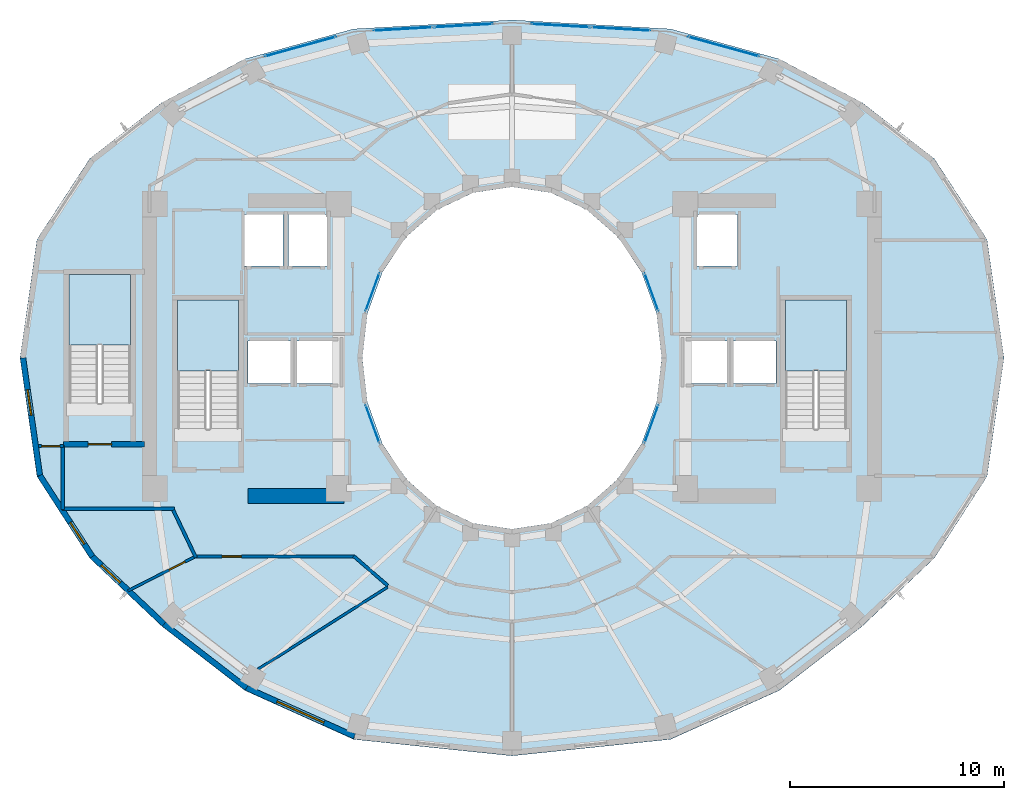
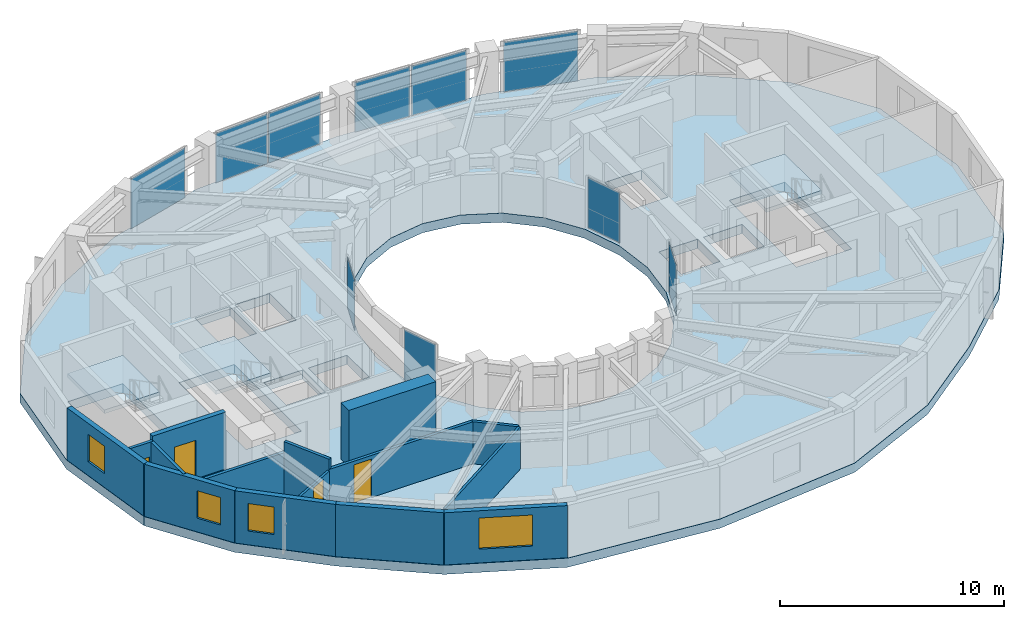
# One storey, part 13 of 20: 15 walls, 10 plates, 4 doors, 4 slabs, 4 windows, 8 openings, 11 elements without a shape of their own.
"""IFC4 building model written with IfcOpenShell, lengths in metres."""

from ifc_helpers import new_model, si_unit, direction, frame, frame_2d, origin, origin_2d, place, context, subcontext, project, spatial, polyline, rectangle, outline, extrude, material, layer, layer_set, type_object, element, fill, aggregate, save


model = new_model("IFC4")

# Units and contexts
model_context = context("Model", 3, precision=1e-05, world=origin(), true_north=direction((0.0, 1.0)))
body_context = subcontext(model_context, "Body", "Model", "MODEL_VIEW")
ifc_project = project(units=[si_unit("LENGTHUNIT", "METRE"), si_unit("AREAUNIT", "SQUARE_METRE"), si_unit("VOLUMEUNIT", "CUBIC_METRE"), si_unit("PLANEANGLEUNIT", "RADIAN"), si_unit("MASSUNIT", "GRAM", prefix="KILO")], contexts=[model_context])

# Site, building, storey
site_placement = place(None, origin())
site = spatial("IfcSite", under=ifc_project, at=site_placement, CompositionType="ELEMENT")
building_placement = place(site_placement, origin())
building = spatial("IfcBuilding", under=site, at=building_placement, Name="Solvane Sanctuary Tower", CompositionType="ELEMENT")
storey_placement = place(building_placement, frame((0.0, 0.0, 137.39990234375)))
storey = spatial("IfcBuildingStorey", under=building, at=storey_placement, Name="L41", CompositionType="ELEMENT", Elevation=137.39990234375)

# Curtain wall, plate
ifc_material_1 = material(Name="Anodised Aluminium 6063-T6", Category="aluminium")
ifc_layer_1 = layer(ifc_material_1, 0.18994140625, Name="Anodised Aluminium 6063-T6")
ifc_layer_set_1 = layer_set([ifc_layer_1], Name="Anodised Aluminium 6063-T6")
curtain_wall_type_1 = type_object("IfcCurtainWallType", Name="Curtain Wall CW-OPER", PredefinedType="NOTDEFINED", material=ifc_layer_set_1)
curtain_wall_1_placement = place(storey_placement, origin())
curtain_wall_1 = element("IfcCurtainWall", 1, at=curtain_wall_1_placement, inside=storey, type_object=curtain_wall_type_1, Name="L41 CW-OPER Facade Run 04", PredefinedType="NOTDEFINED")
ifc_material_2 = material(Name="Dark Ceramic-Fritted Low-E Glass", Category="glass")
ifc_layer_2 = layer(ifc_material_2, 0.0419921875, Name="Dark Ceramic-Fritted Low-E Glass")
ifc_layer_set_2 = layer_set([ifc_layer_2], Name="Dark Ceramic-Fritted Low-E Glass")
plate_type_1 = type_object("IfcPlateType", Name="Plate PN-OPER-VENT", PredefinedType="CURTAIN_PANEL", material=ifc_layer_set_2)
plate_1_placement = place(storey_placement, frame((41.88916015625, 37.56005859375, 0.065185546875), z_axis=(0.0, 0.0, 1.0), x_axis=(-0.963967053183, 0.266021653965, 0.0)))
plate_1 = element("IfcPlate", 2, at=plate_1_placement, type_object=plate_type_1, Name="CW-OPER panel 1.1", PredefinedType="CURTAIN_PANEL", context=body_context, shape_type="SweptSolid", body=[
    extrude(rectangle(XDim=3.44677734375, YDim=0.0419921875, at=origin_2d()), origin(), (0.0, 0.0, 1.0), 2.7099609375),
])
aggregate(curtain_wall_1, [plate_1])

# Curtain wall, plates
curtain_wall_2_placement = place(storey_placement, origin())
curtain_wall_2 = element("IfcCurtainWall", 3, at=curtain_wall_2_placement, inside=storey, type_object=curtain_wall_type_1, Name="L41 CW-OPER Facade Run 05", PredefinedType="NOTDEFINED")
plate_2_placement = place(storey_placement, frame((37.095947265625, 38.384521484375, 0.065185546875), z_axis=(0.0, 0.0, 1.0), x_axis=(-0.998417690973, 0.05623268046, 0.0)))
plate_2 = element("IfcPlate", 4, at=plate_2_placement, type_object=plate_type_1, Name="CW-OPER panel 1.1", PredefinedType="CURTAIN_PANEL", context=body_context, shape_type="SweptSolid", body=[
    extrude(rectangle(XDim=2.755859375, YDim=0.0419921875, at=origin_2d()), origin(), (0.0, 0.0, 1.0), 2.7099609375),
])
plate_3_placement = place(storey_placement, frame((34.269287109375, 38.543701171875, 0.065185546875), z_axis=(0.0, 0.0, 1.0), x_axis=(-0.998417690973, 0.05623268046, 0.0)))
plate_3 = element("IfcPlate", 5, at=plate_3_placement, type_object=plate_type_1, Name="CW-OPER panel 2.1", PredefinedType="CURTAIN_PANEL", context=body_context, shape_type="SweptSolid", body=[
    extrude(rectangle(XDim=2.755859375, YDim=0.0419921875, at=origin_2d()), origin(), (0.0, 0.0, 1.0), 2.7099609375),
])
aggregate(curtain_wall_2, [plate_2, plate_3])

curtain_wall_3_placement = place(storey_placement, origin())
curtain_wall_3 = element("IfcCurtainWall", 6, at=curtain_wall_3_placement, inside=storey, type_object=curtain_wall_type_1, Name="L41 CW-OPER Facade Run 06", PredefinedType="NOTDEFINED")
plate_4_placement = place(storey_placement, frame((29.730712890625, 38.543701171875, 0.065185546875), z_axis=(0.0, 0.0, 1.0), x_axis=(-0.998417690973, -0.05623268046, 0.0)))
plate_4 = element("IfcPlate", 7, at=plate_4_placement, type_object=plate_type_1, Name="CW-OPER panel 1.1", PredefinedType="CURTAIN_PANEL", context=body_context, shape_type="SweptSolid", body=[
    extrude(rectangle(XDim=2.755859375, YDim=0.0419921875, at=origin_2d()), origin(), (0.0, 0.0, 1.0), 2.7099609375),
])
plate_5_placement = place(storey_placement, frame((26.904052734375, 38.384521484375, 0.065185546875), z_axis=(0.0, 0.0, 1.0), x_axis=(-0.998417690973, -0.05623268046, 0.0)))
plate_5 = element("IfcPlate", 8, at=plate_5_placement, type_object=plate_type_1, Name="CW-OPER panel 2.1", PredefinedType="CURTAIN_PANEL", context=body_context, shape_type="SweptSolid", body=[
    extrude(rectangle(XDim=2.755859375, YDim=0.0419921875, at=origin_2d()), origin(), (0.0, 0.0, 1.0), 2.7099609375),
])
aggregate(curtain_wall_3, [plate_4, plate_5])

# Curtain wall, plate
curtain_wall_4_placement = place(storey_placement, origin())
curtain_wall_4 = element("IfcCurtainWall", 9, at=curtain_wall_4_placement, inside=storey, type_object=curtain_wall_type_1, Name="L41 CW-OPER Facade Run 07", PredefinedType="NOTDEFINED")
plate_6_placement = place(storey_placement, frame((22.11083984375, 37.56005859375, 0.065185546875), z_axis=(0.0, 0.0, 1.0), x_axis=(-0.963967053183, -0.266021653965, 0.0)))
plate_6 = element("IfcPlate", 10, at=plate_6_placement, type_object=plate_type_1, Name="CW-OPER panel 1.1", PredefinedType="CURTAIN_PANEL", context=body_context, shape_type="SweptSolid", body=[
    extrude(rectangle(XDim=3.44677734375, YDim=0.0419921875, at=origin_2d()), origin(), (0.0, 0.0, 1.0), 2.7099609375),
])
aggregate(curtain_wall_4, [plate_6])

ifc_layer_3 = layer(ifc_material_1, 0.199951171875, Name="Anodised Aluminium 6063-T6")
ifc_layer_set_3 = layer_set([ifc_layer_3], Name="Anodised Aluminium 6063-T6")
curtain_wall_type_2 = type_object("IfcCurtainWallType", Name="Curtain Wall CW-WELL", PredefinedType="NOTDEFINED", material=ifc_layer_set_3)
curtain_wall_5_placement = place(storey_placement, origin())
curtain_wall_5 = element("IfcCurtainWall", 11, at=curtain_wall_5_placement, inside=storey, type_object=curtain_wall_type_2, Name="L41 Light-Well Glazed Curtain Wall 01", PredefinedType="NOTDEFINED")
ifc_material_3 = material(Name="Clear Laminated Light-Well Glass", Category="glass")
ifc_layer_4 = layer(ifc_material_3, 0.02392578125, Name="Clear Laminated Light-Well Glass")
ifc_layer_set_4 = layer_set([ifc_layer_4], Name="Clear Laminated Light-Well Glass")
plate_type_2 = type_object("IfcPlateType", Name="Plate PN-WELL-GLZ", PredefinedType="CURTAIN_PANEL", material=ifc_layer_set_4)
plate_7_placement = place(storey_placement, frame((38.521728515625, 26.080810546875, 0.065185546875), z_axis=(0.0, 0.0, 1.0), x_axis=(-0.341358483781, 0.939933181429, 0.0)))
plate_7 = element("IfcPlate", 12, at=plate_7_placement, type_object=plate_type_2, Name="CW-WELL panel 1.1", PredefinedType="CURTAIN_PANEL", context=body_context, shape_type="SweptSolid", body=[
    extrude(rectangle(XDim=1.853515625, YDim=0.02392578125, at=origin_2d()), origin(), (0.0, 0.0, 1.0), 2.75),
])
aggregate(curtain_wall_5, [plate_7])

curtain_wall_6_placement = place(storey_placement, origin())
curtain_wall_6 = element("IfcCurtainWall", 13, at=curtain_wall_6_placement, inside=storey, type_object=curtain_wall_type_2, Name="L41 Light-Well Glazed Curtain Wall 10", PredefinedType="NOTDEFINED")
plate_8_placement = place(storey_placement, frame((25.478271484375, 26.080810546875, 0.065185546875), z_axis=(0.0, 0.0, 1.0), x_axis=(-0.341358483781, -0.939933181429, 0.0)))
plate_8 = element("IfcPlate", 14, at=plate_8_placement, type_object=plate_type_2, Name="CW-WELL panel 1.1", PredefinedType="CURTAIN_PANEL", context=body_context, shape_type="SweptSolid", body=[
    extrude(rectangle(XDim=1.853515625, YDim=0.02392578125, at=origin_2d()), origin(), (0.0, 0.0, 1.0), 2.75),
])
aggregate(curtain_wall_6, [plate_8])

curtain_wall_7_placement = place(storey_placement, origin())
curtain_wall_7 = element("IfcCurtainWall", 15, at=curtain_wall_7_placement, inside=storey, type_object=curtain_wall_type_2, Name="L41 Light-Well Glazed Curtain Wall 13", PredefinedType="NOTDEFINED")
plate_9_placement = place(storey_placement, frame((25.478271484375, 19.919189453125, 0.065185546875), z_axis=(0.0, 0.0, 1.0), x_axis=(0.341358483781, -0.939933181429, 0.0)))
plate_9 = element("IfcPlate", 16, at=plate_9_placement, type_object=plate_type_2, Name="CW-WELL panel 1.1", PredefinedType="CURTAIN_PANEL", context=body_context, shape_type="SweptSolid", body=[
    extrude(rectangle(XDim=1.853515625, YDim=0.02392578125, at=origin_2d()), origin(), (0.0, 0.0, 1.0), 2.75),
])
aggregate(curtain_wall_7, [plate_9])

curtain_wall_8_placement = place(storey_placement, origin())
curtain_wall_8 = element("IfcCurtainWall", 17, at=curtain_wall_8_placement, inside=storey, type_object=curtain_wall_type_2, Name="L41 Light-Well Glazed Curtain Wall 22", PredefinedType="NOTDEFINED")
plate_10_placement = place(storey_placement, frame((38.521728515625, 19.919189453125, 0.065185546875), z_axis=(0.0, 0.0, 1.0), x_axis=(0.341358483781, 0.939933181429, 0.0)))
plate_10 = element("IfcPlate", 18, at=plate_10_placement, type_object=plate_type_2, Name="CW-WELL panel 1.1", PredefinedType="CURTAIN_PANEL", context=body_context, shape_type="SweptSolid", body=[
    extrude(rectangle(XDim=1.853515625, YDim=0.02392578125, at=origin_2d()), origin(), (0.0, 0.0, 1.0), 2.75),
])
aggregate(curtain_wall_8, [plate_10])

# Stair, slab
ifc_material_4 = material(Name="Concrete C45/55", Category="concrete")
stair_type = type_object("IfcStairType", Name="Stair ST-TOW", PredefinedType="HALF_TURN_STAIR", material=ifc_material_4)
stair_1_placement = place(storey_placement, origin())
stair_1 = element("IfcStair", 19, at=stair_1_placement, inside=storey, type_object=stair_type, Name="L41 Exit Stair ST-1 West Core", PredefinedType="HALF_TURN_STAIR")
ifc_layer_5 = layer(ifc_material_4, 0.199951171875, Name="Concrete C45/55")
ifc_layer_set_5 = layer_set([ifc_layer_5], Name="Concrete C45/55")
slab_type_1 = type_object("IfcSlabType", Name="Slab SL-LAND-180", PredefinedType="LANDING", material=ifc_layer_set_5)
slab_1_placement = place(storey_placement, frame((0.0, 0.0, 1.35009765625)))
slab_1 = element("IfcSlab", 20, at=slab_1_placement, type_object=slab_type_1, Name="ST-1 landing 1", PredefinedType="LANDING", context=body_context, shape_type="SweptSolid", body=[
    extrude(outline(polyline([(19.219970703125, 22.39990234375), (19.219970703125, 25.699951171875), (16.360107421875, 25.699951171875), (16.360107421875, 22.39990234375), (19.219970703125, 22.39990234375)])), origin(), (0.0, 0.0, 1.0), 0.199951171875),
])
aggregate(stair_1, [slab_1])

stair_2_placement = place(storey_placement, origin())
stair_2 = element("IfcStair", 21, at=stair_2_placement, inside=storey, type_object=stair_type, Name="L41 Exit Stair ST-2 East Core", PredefinedType="HALF_TURN_STAIR")
slab_2_placement = place(storey_placement, frame((0.0, 0.0, 1.35009765625)))
slab_2 = element("IfcSlab", 22, at=slab_2_placement, type_object=slab_type_1, Name="ST-2 landing 1", PredefinedType="LANDING", context=body_context, shape_type="SweptSolid", body=[
    extrude(outline(polyline([(47.639892578125, 22.39990234375), (47.639892578125, 25.699951171875), (44.780029296875, 25.699951171875), (44.780029296875, 22.39990234375), (47.639892578125, 22.39990234375)])), origin(), (0.0, 0.0, 1.0), 0.199951171875),
])
aggregate(stair_2, [slab_2])

stair_3_placement = place(storey_placement, origin())
stair_3 = element("IfcStair", 23, at=stair_3_placement, inside=storey, type_object=stair_type, Name="L41 Exit Stair ST-3 Pilgrim Tower Stair", PredefinedType="HALF_TURN_STAIR")
slab_3_placement = place(storey_placement, frame((0.0, 0.0, 1.35009765625)))
slab_3 = element("IfcSlab", 24, at=slab_3_placement, type_object=slab_type_1, Name="ST-3 landing 1", PredefinedType="LANDING", context=body_context, shape_type="SweptSolid", body=[
    extrude(outline(polyline([(14.159912109375, 23.60009765625), (14.159912109375, 26.89990234375), (11.300048828125, 26.89990234375), (11.300048828125, 23.60009765625), (14.159912109375, 23.60009765625)])), origin(), (0.0, 0.0, 1.0), 0.199951171875),
])
aggregate(stair_3, [slab_3])

# Slab
ifc_material_5 = material(Name="Concrete C60/75", Category="concrete")
ifc_layer_6 = layer(ifc_material_5, 0.5, Name="Concrete C60/75")
ifc_layer_set_6 = layer_set([ifc_layer_6], Name="Concrete C60/75")
slab_type_2 = type_object("IfcSlabType", Name="Slab SL-XFER-500", PredefinedType="FLOOR", material=ifc_layer_set_6)
slab_4_placement = place(storey_placement, frame((0.0, 0.0, -0.5)))
element("IfcSlab", 25, at=slab_4_placement, inside=storey, type_object=slab_type_2, Name="L41 Primary Structural Slab", PredefinedType="FLOOR", context=body_context, shape_type="SweptSolid", body=[
    extrude(outline(polyline([(55.0, 23.0), (54.205322265625, 28.54150390625), (51.7392578125, 32.3193359375), (48.368896484375, 34.938720703125), (44.489013671875, 36.977294921875), (39.410400390625, 38.3818359375), (32.0, 38.800048828125), (24.589599609375, 38.3818359375), (19.510986328125, 36.977294921875), (15.631103515625, 34.938720703125), (12.2607421875, 32.3193359375), (9.794677734375, 28.54150390625), (9.0, 23.0), (9.794677734375, 17.45849609375), (12.2607421875, 13.639892578125), (15.631103515625, 10.45654296875), (19.510986328125, 7.4541015625), (24.589599609375, 5.17041015625), (32.0, 4.39990234375), (39.410400390625, 5.17041015625), (44.489013671875, 7.4541015625), (48.368896484375, 10.45654296875), (51.7392578125, 13.639892578125), (54.205322265625, 17.45849609375), (55.0, 23.0)]), holes=[polyline([(38.761474609375, 20.929443359375), (38.062255859375, 19.0), (36.94970703125, 17.343017578125), (35.5, 16.07177734375), (33.811767578125, 15.272705078125), (32.0, 15.0), (30.188232421875, 15.272705078125), (28.5, 16.07177734375), (27.05029296875, 17.343017578125), (25.937744140625, 19.0), (25.238525390625, 20.929443359375), (25.0, 23.0), (25.238525390625, 25.070556640625), (25.937744140625, 27.0), (27.05029296875, 28.656982421875), (28.5, 29.92822265625), (30.188232421875, 30.727294921875), (32.0, 31.0), (33.811767578125, 30.727294921875), (35.5, 29.92822265625), (36.94970703125, 28.656982421875), (38.062255859375, 27.0), (38.761474609375, 25.070556640625), (39.0, 23.0), (38.761474609375, 20.929443359375)]), polyline([(16.360107421875, 19.699951171875), (16.360107421875, 25.699951171875), (19.219970703125, 25.699951171875), (19.219970703125, 19.699951171875), (16.360107421875, 19.699951171875)]), polyline([(44.780029296875, 19.699951171875), (44.780029296875, 25.699951171875), (47.639892578125, 25.699951171875), (47.639892578125, 19.699951171875), (44.780029296875, 19.699951171875)]), polyline([(11.300048828125, 20.89990234375), (11.300048828125, 26.89990234375), (14.159912109375, 26.89990234375), (14.159912109375, 20.89990234375), (11.300048828125, 20.89990234375)]), polyline([(19.64990234375, 23.800048828125), (21.64990234375, 23.800048828125), (21.64990234375, 21.800048828125), (19.64990234375, 21.800048828125), (19.64990234375, 23.800048828125)]), polyline([(42.35009765625, 23.800048828125), (44.35009765625, 23.800048828125), (44.35009765625, 21.800048828125), (42.35009765625, 21.800048828125), (42.35009765625, 23.800048828125)]), polyline([(21.949951171875, 23.800048828125), (23.949951171875, 23.800048828125), (23.949951171875, 21.800048828125), (21.949951171875, 21.800048828125), (21.949951171875, 23.800048828125)]), polyline([(40.050048828125, 23.800048828125), (42.050048828125, 23.800048828125), (42.050048828125, 21.800048828125), (40.050048828125, 21.800048828125), (40.050048828125, 23.800048828125)]), polyline([(19.5, 29.699951171875), (21.300048828125, 29.699951171875), (21.300048828125, 27.300048828125), (19.5, 27.300048828125), (19.5, 29.699951171875)]), polyline([(21.550048828125, 29.699951171875), (23.35009765625, 29.699951171875), (23.35009765625, 27.300048828125), (21.550048828125, 27.300048828125), (21.550048828125, 29.699951171875)]), polyline([(40.64990234375, 29.699951171875), (42.550048828125, 29.699951171875), (42.550048828125, 27.300048828125), (40.64990234375, 27.300048828125), (40.64990234375, 29.699951171875)])]), origin(), (0.0, 0.0, 1.0), 0.5),
])

# Wall
ifc_layer_7 = layer(ifc_material_5, 0.699951171875, Name="Concrete C60/75")
ifc_layer_set_7 = layer_set([ifc_layer_7], Name="Concrete C60/75")
wall_type_1 = type_object("IfcWallType", Name="Wall W-CORE-700", PredefinedType="SHEAR", material=ifc_layer_set_7)
wall_1_placement = place(storey_placement, frame((19.64990234375, 16.550048828125, 0.0), z_axis=(0.0, 0.0, 1.0), x_axis=(1.0, 0.0, 0.0)))
element("IfcWall", 26, at=wall_1_placement, inside=storey, type_object=wall_type_1, Name="L41 Core Shear Wall WC-S", PredefinedType="SHEAR", context=body_context, shape_type="SweptSolid", body=[
    extrude(rectangle(XDim=4.5, YDim=0.699951171875, at=frame_2d((2.25, 0.0))), origin(), (0.0, 0.0, 1.0), 3.10009765625),
])

# Wall, opening, door
ifc_material_6 = material(Name="Acoustic Gypsum Partition Board")
ifc_layer_8 = layer(ifc_material_6, 0.14990234375, Name="Acoustic Gypsum Partition Board")
ifc_layer_set_8 = layer_set([ifc_layer_8], Name="Acoustic Gypsum Partition Board")
wall_type_2 = type_object("IfcWallType", Name="Wall W-CORR-150", PredefinedType="PARTITIONING", material=ifc_layer_set_8)
wall_2_placement = place(storey_placement, frame((9.869873046875, 18.8798828125, 0.0), z_axis=(0.0, 0.0, 1.0), x_axis=(1.0, 0.0, 0.0)))
wall_2 = element("IfcWall", 27, at=wall_2_placement, inside=storey, type_object=wall_type_2, Name="L41 SW Corner Closer 1", PredefinedType="PARTITIONING", context=body_context, shape_type="SweptSolid", body=[
    extrude(rectangle(XDim=1.170166015625, YDim=0.14990234375, at=frame_2d((0.5849609375, 0.0))), origin(), (0.0, 0.0, 1.0), 2.85498046875),
])
opening_1_placement = place(wall_2_placement, frame((0.139892578125, 0.0, 0.0)))
opening_1 = element("IfcOpeningElement", 28, at=opening_1_placement, cuts=wall_2, Name="Opening D-L41-13", PredefinedType="OPENING", context=body_context, shape_type="SweptSolid", body=[
    extrude(rectangle(XDim=0.85009765625, YDim=2.050048828125, at=frame_2d((0.425048828125, 1.02490234375))), frame((0.0, 0.0849609375, 0.0), z_axis=(0.0, -1.0, 0.0), x_axis=(1.0, 0.0, 0.0)), (0.0, 0.0, 1.0), 0.169921875),
])
ifc_material_7 = material(Name="Architectural Stainless Steel 316", Category="steel")
door_type_1 = type_object("IfcDoorType", Name="Door D-RISER", OperationType="NOTDEFINED", PredefinedType="DOOR", material=ifc_material_7)
door_1_placement = place(opening_1_placement, origin())
door_1 = element("IfcDoor", 29, at=door_1_placement, inside=storey, type_object=door_type_1, Name="L41 West Lookout Study Door", OperationType="SINGLE_SWING_LEFT", OverallHeight=2.050048828125, OverallWidth=0.85009765625, PredefinedType="DOOR", context=body_context, shape_type="SweptSolid", body=[
    extrude(rectangle(XDim=0.85009765625, YDim=2.050048828125, at=frame_2d((0.425048828125, 1.02490234375))), frame((0.0, 0.02490234375, 0.0), z_axis=(0.0, -1.0, 0.0), x_axis=(1.0, 0.0, 0.0)), (0.0, 0.0, 1.0), 0.050048828125),
])
fill(opening_1, door_1)

# Walls
wall_3_placement = place(storey_placement, frame((11.0, 15.909912109375, 0.0), z_axis=(0.0, 0.0, 1.0), x_axis=(0.0, 1.0, 0.0)))
element("IfcWall", 30, at=wall_3_placement, inside=storey, type_object=wall_type_2, Name="L41 SW Corner Closer 2", PredefinedType="PARTITIONING", context=body_context, shape_type="SweptSolid", body=[
    extrude(rectangle(XDim=3.010009765625, YDim=0.14990234375, at=frame_2d((1.5048828125, 0.0))), origin(), (0.0, 0.0, 1.0), 2.85498046875),
])
wall_4_placement = place(storey_placement, frame((10.9599609375, 15.949951171875, 0.0), z_axis=(0.0, 0.0, 1.0), x_axis=(1.0, 0.0, 0.0)))
element("IfcWall", 31, at=wall_4_placement, inside=storey, type_object=wall_type_2, Name="L41 SW Corner Closer 3", PredefinedType="PARTITIONING", context=body_context, shape_type="SweptSolid", body=[
    extrude(rectangle(XDim=5.260009765625, YDim=0.14990234375, at=frame_2d((2.6298828125, 0.0))), origin(), (0.0, 0.0, 1.0), 2.22021484375),
])
wall_5_placement = place(storey_placement, frame((26.193359375, 12.35791015625, 0.0), z_axis=(0.0, 0.0, 1.0), x_axis=(-0.756055312247, 0.654507727092, 0.0)))
element("IfcWall", 32, at=wall_5_placement, inside=storey, type_object=wall_type_2, Name="L41 SW Corner Throat Wall", PredefinedType="PARTITIONING", context=body_context, shape_type="SweptSolid", body=[
    extrude(rectangle(XDim=2.11083984375, YDim=0.14990234375, at=frame_2d((1.055419921875, 0.0))), origin(), (0.0, 0.0, 1.0), 2.299072265625),
])

# Wall, opening, door
wall_6_placement = place(storey_placement, frame((17.14990234375, 13.719970703125, 0.0), z_axis=(0.0, 0.0, 1.0), x_axis=(1.0, 0.0, 0.0)))
wall_6 = element("IfcWall", 33, at=wall_6_placement, inside=storey, type_object=wall_type_2, Name="L41 SW Corner Corridor Wall", PredefinedType="PARTITIONING", context=body_context, shape_type="SweptSolid", body=[
    extrude(rectangle(XDim=7.52001953125, YDim=0.14990234375, at=frame_2d((3.760009765625, 0.0))), origin(), (0.0, 0.0, 1.0), 2.299072265625),
])
opening_2_placement = place(wall_6_placement, frame((1.300048828125, 0.0, 0.0)))
opening_2 = element("IfcOpeningElement", 34, at=opening_2_placement, cuts=wall_6, Name="Opening D-L41-15", PredefinedType="OPENING", context=body_context, shape_type="SweptSolid", body=[
    extrude(rectangle(XDim=0.89990234375, YDim=2.10009765625, at=frame_2d((0.449951171875, 1.050048828125))), frame((0.0, 0.0849609375, 0.0), z_axis=(0.0, -1.0, 0.0), x_axis=(1.0, 0.0, 0.0)), (0.0, 0.0, 1.0), 0.169921875),
])
ifc_material_8 = material(Name="Engineered Tropical Hardwood", Category="wood")
door_type_2 = type_object("IfcDoorType", Name="Door D-WET-900", OperationType="NOTDEFINED", PredefinedType="DOOR", material=ifc_material_8)
door_2_placement = place(opening_2_placement, origin())
door_2 = element("IfcDoor", 35, at=door_2_placement, inside=storey, type_object=door_type_2, Name="L41 SW Corner Salon Door", OperationType="SINGLE_SWING_LEFT", OverallHeight=2.10009765625, OverallWidth=0.89990234375, PredefinedType="DOOR", context=body_context, shape_type="SweptSolid", body=[
    extrude(rectangle(XDim=0.89990234375, YDim=2.10009765625, at=frame_2d((0.449951171875, 1.050048828125))), frame((0.0, 0.02490234375, 0.0), z_axis=(0.0, -1.0, 0.0), x_axis=(1.0, 0.0, 0.0)), (0.0, 0.0, 1.0), 0.050048828125),
])
fill(opening_2, door_2)

# Wall
wall_7_placement = place(storey_placement, frame((17.2216796875, 13.6748046875, 0.0), z_axis=(0.0, 0.0, 1.0), x_axis=(-0.431973389813, 0.901886351207, 0.0)))
element("IfcWall", 36, at=wall_7_placement, inside=storey, type_object=wall_type_2, Name="L41 SW Corner Wing Wall", PredefinedType="PARTITIONING", context=body_context, shape_type="SweptSolid", body=[
    extrude(rectangle(XDim=2.45166015625, YDim=0.14990234375, at=frame_2d((1.225830078125, 0.0))), origin(), (0.0, 0.0, 1.0), 2.85498046875),
])

# Wall, opening, window
ifc_material_9 = material(Name="Precast concrete C40/50", Category="concrete")
ifc_layer_9 = layer(ifc_material_9, 0.260009765625, Name="Precast concrete C40/50")
ifc_layer_set_9 = layer_set([ifc_layer_9], Name="Precast concrete C40/50")
wall_type_3 = type_object("IfcWallType", Name="Wall W-EXT-250", PredefinedType="STANDARD", material=ifc_layer_set_9)
wall_8_placement = place(storey_placement, frame((9.139892578125, 23.0, 0.0), z_axis=(0.0, 0.0, 1.0), x_axis=(0.142227632286, -0.989833976288, 0.0)))
wall_8 = element("IfcWall", 37, at=wall_8_placement, inside=storey, type_object=wall_type_3, Name="L41 Ceramic-Printed Facade Wall 12", PredefinedType="STANDARD", context=body_context, shape_type="SweptSolid", body=[
    extrude(rectangle(XDim=5.552978515625, YDim=0.260009765625, at=frame_2d((2.7763671875, 0.0))), origin(), (0.0, 0.0, 1.0), 2.85009765625),
])
opening_3_placement = place(wall_8_placement, frame((1.506103515625, 0.0, 0.75)))
opening_3 = element("IfcOpeningElement", 38, at=opening_3_placement, cuts=wall_8, Name="Opening WN-OPER-1200", PredefinedType="OPENING", context=body_context, shape_type="SweptSolid", body=[
    extrude(rectangle(XDim=1.199951171875, YDim=1.5, at=frame_2d((0.60009765625, 0.75))), frame((0.0, 0.139892578125, 0.0), z_axis=(0.0, -1.0, 0.0), x_axis=(1.0, 0.0, 0.0)), (0.0, 0.0, 1.0), 0.280029296875),
])
window_type_1 = type_object("IfcWindowType", Name="Window WN-OPER-1200", PartitioningType="SINGLE_PANEL", PredefinedType="WINDOW", material=ifc_material_2)
window_1_placement = place(opening_3_placement, origin())
window_1 = element("IfcWindow", 39, at=window_1_placement, inside=storey, type_object=window_type_1, Name="L41 Operable Facade Window 12", OverallHeight=1.5, OverallWidth=1.199951171875, PartitioningType="SINGLE_PANEL", PredefinedType="WINDOW", context=body_context, shape_type="SweptSolid", body=[
    extrude(rectangle(XDim=1.199951171875, YDim=1.5, at=frame_2d((0.60009765625, 0.75))), frame((0.0, 0.030029296875, 0.0), z_axis=(0.0, -1.0, 0.0), x_axis=(1.0, 0.0, 0.0)), (0.0, 0.0, 1.0), 0.06005859375),
])
fill(opening_3, window_1)

wall_9_placement = place(storey_placement, frame((9.9296875, 17.50341796875, 0.0), z_axis=(0.0, 0.0, 1.0), x_axis=(0.543358984534, -0.839500454989, 0.0)))
wall_9 = element("IfcWall", 40, at=wall_9_placement, inside=storey, type_object=wall_type_3, Name="L41 Ceramic-Printed Facade Wall 13", PredefinedType="STANDARD", context=body_context, shape_type="SweptSolid", body=[
    extrude(rectangle(XDim=4.51123046875, YDim=0.260009765625, at=frame_2d((2.255615234375, 0.0))), origin(), (0.0, 0.0, 1.0), 2.85009765625),
])
opening_4_placement = place(wall_9_placement, frame((2.615478515625, 0.0, 0.75)))
opening_4 = element("IfcOpeningElement", 41, at=opening_4_placement, cuts=wall_9, Name="Opening WN-OPER-1200", PredefinedType="OPENING", context=body_context, shape_type="SweptSolid", body=[
    extrude(rectangle(XDim=1.199951171875, YDim=1.5, at=frame_2d((0.60009765625, 0.75))), frame((0.0, 0.139892578125, 0.0), z_axis=(0.0, -1.0, 0.0), x_axis=(1.0, 0.0, 0.0)), (0.0, 0.0, 1.0), 0.280029296875),
])
window_2_placement = place(opening_4_placement, origin())
window_2 = element("IfcWindow", 42, at=window_2_placement, inside=storey, type_object=window_type_1, Name="L41 Operable Facade Window 13", OverallHeight=1.5, OverallWidth=1.199951171875, PartitioningType="SINGLE_PANEL", PredefinedType="WINDOW", context=body_context, shape_type="SweptSolid", body=[
    extrude(rectangle(XDim=1.199951171875, YDim=1.5, at=frame_2d((0.60009765625, 0.75))), frame((0.0, 0.030029296875, 0.0), z_axis=(0.0, -1.0, 0.0), x_axis=(1.0, 0.0, 0.0)), (0.0, 0.0, 1.0), 0.06005859375),
])
fill(opening_4, window_2)

wall_10_placement = place(storey_placement, frame((12.380859375, 13.71630859375, 0.0), z_axis=(0.0, 0.0, 1.0), x_axis=(0.727667301037, -0.68593024354, 0.0)))
wall_10 = element("IfcWall", 43, at=wall_10_placement, inside=storey, type_object=wall_type_3, Name="L41 Ceramic-Printed Facade Wall 14", PredefinedType="STANDARD", context=body_context, shape_type="SweptSolid", body=[
    extrude(rectangle(XDim=4.603515625, YDim=0.260009765625, at=frame_2d((2.3017578125, 0.0))), origin(), (0.0, 0.0, 1.0), 2.85009765625),
])
opening_5_placement = place(wall_10_placement, frame((0.5849609375, 0.0, 0.75)))
opening_5 = element("IfcOpeningElement", 44, at=opening_5_placement, cuts=wall_10, Name="Opening WN-OPER-1200", PredefinedType="OPENING", context=body_context, shape_type="SweptSolid", body=[
    extrude(rectangle(XDim=1.199951171875, YDim=1.5, at=frame_2d((0.60009765625, 0.75))), frame((0.0, 0.139892578125, 0.0), z_axis=(0.0, -1.0, 0.0), x_axis=(1.0, 0.0, 0.0)), (0.0, 0.0, 1.0), 0.280029296875),
])
window_3_placement = place(opening_5_placement, origin())
window_3 = element("IfcWindow", 45, at=window_3_placement, inside=storey, type_object=window_type_1, Name="L41 Operable Facade Window 14", OverallHeight=1.5, OverallWidth=1.199951171875, PartitioningType="SINGLE_PANEL", PredefinedType="WINDOW", context=body_context, shape_type="SweptSolid", body=[
    extrude(rectangle(XDim=1.199951171875, YDim=1.5, at=frame_2d((0.60009765625, 0.75))), frame((0.0, 0.030029296875, 0.0), z_axis=(0.0, -1.0, 0.0), x_axis=(1.0, 0.0, 0.0)), (0.0, 0.0, 1.0), 0.06005859375),
])
fill(opening_5, window_3)

# Wall
wall_11_placement = place(storey_placement, frame((15.730712890625, 10.55859375, 0.0), z_axis=(0.0, 0.0, 1.0), x_axis=(0.791460185804, -0.611220724687, 0.0)))
element("IfcWall", 46, at=wall_11_placement, inside=storey, type_object=wall_type_3, Name="L41 Ceramic-Printed Facade Wall 15", PredefinedType="STANDARD", context=body_context, shape_type="SweptSolid", body=[
    extrude(rectangle(XDim=4.872314453125, YDim=0.260009765625, at=frame_2d((2.43603515625, 0.0))), origin(), (0.0, 0.0, 1.0), 2.85009765625),
])

# Wall, opening, window
wall_12_placement = place(storey_placement, frame((19.5869140625, 7.58056640625, 0.0), z_axis=(0.0, 0.0, 1.0), x_axis=(0.912353637112, -0.409403029847, 0.0)))
wall_12 = element("IfcWall", 47, at=wall_12_placement, inside=storey, type_object=wall_type_3, Name="L41 Ceramic-Printed Facade Wall 16", PredefinedType="STANDARD", context=body_context, shape_type="SweptSolid", body=[
    extrude(rectangle(XDim=5.53271484375, YDim=0.260009765625, at=frame_2d((2.766357421875, 0.0))), origin(), (0.0, 0.0, 1.0), 2.85009765625),
])
opening_6_placement = place(wall_12_placement, frame((1.56640625, 0.0, 0.75)))
opening_6 = element("IfcOpeningElement", 48, at=opening_6_placement, cuts=wall_12, Name="Opening WN-RIB-2400", PredefinedType="OPENING", context=body_context, shape_type="SweptSolid", body=[
    extrude(rectangle(XDim=2.39990234375, YDim=1.699951171875, at=frame_2d((1.199951171875, 0.85009765625))), frame((0.0, 0.139892578125, 0.0), z_axis=(0.0, -1.0, 0.0), x_axis=(1.0, 0.0, 0.0)), (0.0, 0.0, 1.0), 0.280029296875),
])
window_type_2 = type_object("IfcWindowType", Name="Window WN-RIB-2400", PartitioningType="SINGLE_PANEL", PredefinedType="WINDOW", material=ifc_material_2)
window_4_placement = place(opening_6_placement, origin())
window_4 = element("IfcWindow", 49, at=window_4_placement, inside=storey, type_object=window_type_2, Name="L41 Operable Facade Window 16", OverallHeight=1.699951171875, OverallWidth=2.39990234375, PartitioningType="SINGLE_PANEL", PredefinedType="WINDOW", context=body_context, shape_type="SweptSolid", body=[
    extrude(rectangle(XDim=2.39990234375, YDim=1.699951171875, at=frame_2d((1.199951171875, 0.85009765625))), frame((0.0, 0.030029296875, 0.0), z_axis=(0.0, -1.0, 0.0), x_axis=(1.0, 0.0, 0.0)), (0.0, 0.0, 1.0), 0.06005859375),
])
fill(opening_6, window_4)

# Wall, opening, door
ifc_layer_10 = layer(ifc_material_6, 0.1201171875, Name="Acoustic Gypsum Partition Board")
ifc_layer_set_10 = layer_set([ifc_layer_10], Name="Acoustic Gypsum Partition Board")
wall_type_4 = type_object("IfcWallType", Name="Wall W-MOV-100", PredefinedType="MOVABLE", material=ifc_layer_set_10)
wall_13_placement = place(storey_placement, frame((17.24462890625, 13.74267578125, 0.0), z_axis=(0.0, 0.0, 1.0), x_axis=(-0.891028597788, -0.453947175258, 0.0)))
wall_13 = element("IfcWall", 50, at=wall_13_placement, inside=storey, type_object=wall_type_4, Name="L41 SW Corner Suite Partition", PredefinedType="MOVABLE", context=body_context, shape_type="SweptSolid", body=[
    extrude(rectangle(XDim=3.58984375, YDim=0.1201171875, at=frame_2d((1.794921875, 0.0))), origin(), (0.0, 0.0, 1.0), 2.22021484375),
])
opening_7_placement = place(wall_13_placement, frame((0.585205078125, 0.0, 0.0)))
opening_7 = element("IfcOpeningElement", 51, at=opening_7_placement, cuts=wall_13, Name="Opening D-L41-14", PredefinedType="OPENING", context=body_context, shape_type="SweptSolid", body=[
    extrude(rectangle(XDim=0.85009765625, YDim=2.050048828125, at=frame_2d((0.425048828125, 1.02490234375))), frame((0.0, 0.070068359375, 0.0), z_axis=(0.0, -1.0, 0.0), x_axis=(1.0, 0.0, 0.0)), (0.0, 0.0, 1.0), 0.14013671875),
])
door_3_placement = place(opening_7_placement, origin())
door_3 = element("IfcDoor", 52, at=door_3_placement, inside=storey, type_object=door_type_1, Name="L41 SW Corner Suite Door", OperationType="SINGLE_SWING_RIGHT", OverallHeight=2.050048828125, OverallWidth=0.85009765625, PredefinedType="DOOR", context=body_context, shape_type="SweptSolid", body=[
    extrude(rectangle(XDim=0.85009765625, YDim=2.050048828125, at=frame_2d((0.425048828125, 1.02490234375))), frame((0.0, 0.02490234375, 0.0), z_axis=(0.0, -1.0, 0.0), x_axis=(1.0, 0.0, 0.0)), (0.0, 0.0, 1.0), 0.050048828125),
])
fill(opening_7, door_3)

# Wall
wall_14_placement = place(storey_placement, frame((26.1884765625, 12.29248046875, 0.0), z_axis=(0.0, 0.0, 1.0), x_axis=(-0.844640430122, -0.535334048799, 0.0)))
element("IfcWall", 53, at=wall_14_placement, inside=storey, type_object=wall_type_4, Name="L41 Sky Hall Radial Partition 240", PredefinedType="MOVABLE", context=body_context, shape_type="SweptSolid", body=[
    extrude(rectangle(XDim=7.188232421875, YDim=0.1201171875, at=frame_2d((3.59423828125, 0.0))), origin(), (0.0, 0.0, 1.0), 2.299072265625),
])

# Wall, opening, door
ifc_material_10 = material(Name="Concrete C50/60", Category="concrete")
ifc_layer_11 = layer(ifc_material_10, 0.25, Name="Concrete C50/60")
ifc_layer_set_11 = layer_set([ifc_layer_11], Name="Concrete C50/60")
wall_type_5 = type_object("IfcWallType", Name="Wall W-SHAFT-250", PredefinedType="SOLIDWALL", material=ifc_layer_set_11)
wall_15_placement = place(storey_placement, frame((11.044921875, 18.969970703125, 0.0), z_axis=(0.0, 0.0, 1.0), x_axis=(1.0, 0.0, 0.0)))
wall_15 = element("IfcWall", 54, at=wall_15_placement, inside=storey, type_object=wall_type_5, Name="L41 ST-3 Load-Bearing Shaft Wall S", PredefinedType="SOLIDWALL", context=body_context, shape_type="SweptSolid", body=[
    extrude(rectangle(XDim=3.781982421875, YDim=0.25, at=frame_2d((1.89111328125, 0.0))), origin(), (0.0, 0.0, 1.0), 3.10009765625),
])
opening_8_placement = place(wall_15_placement, frame((1.135009765625, 0.0, 0.0)))
opening_8 = element("IfcOpeningElement", 55, at=opening_8_placement, cuts=wall_15, Name="Opening D-L41-03", PredefinedType="OPENING", context=body_context, shape_type="SweptSolid", body=[
    extrude(rectangle(XDim=1.10009765625, YDim=2.10009765625, at=frame_2d((0.550048828125, 1.050048828125))), frame((0.0, 0.135009765625, 0.0), z_axis=(0.0, -1.0, 0.0), x_axis=(1.0, 0.0, 0.0)), (0.0, 0.0, 1.0), 0.27001953125),
])
door_type_3 = type_object("IfcDoorType", Name="Door D-STAIR", OperationType="NOTDEFINED", PredefinedType="DOOR", material=ifc_material_7)
door_4_placement = place(opening_8_placement, origin())
door_4 = element("IfcDoor", 56, at=door_4_placement, inside=storey, type_object=door_type_3, Name="L41 ST-3 Exit Stair Fire Door", OperationType="SINGLE_SWING_LEFT", OverallHeight=2.10009765625, OverallWidth=1.10009765625, PredefinedType="DOOR", context=body_context, shape_type="SweptSolid", body=[
    extrude(rectangle(XDim=1.10009765625, YDim=2.10009765625, at=frame_2d((0.550048828125, 1.050048828125))), frame((0.0, 0.02490234375, 0.0), z_axis=(0.0, -1.0, 0.0), x_axis=(1.0, 0.0, 0.0)), (0.0, 0.0, 1.0), 0.050048828125),
])
fill(opening_8, door_4)

save(model, "model.ifc")
